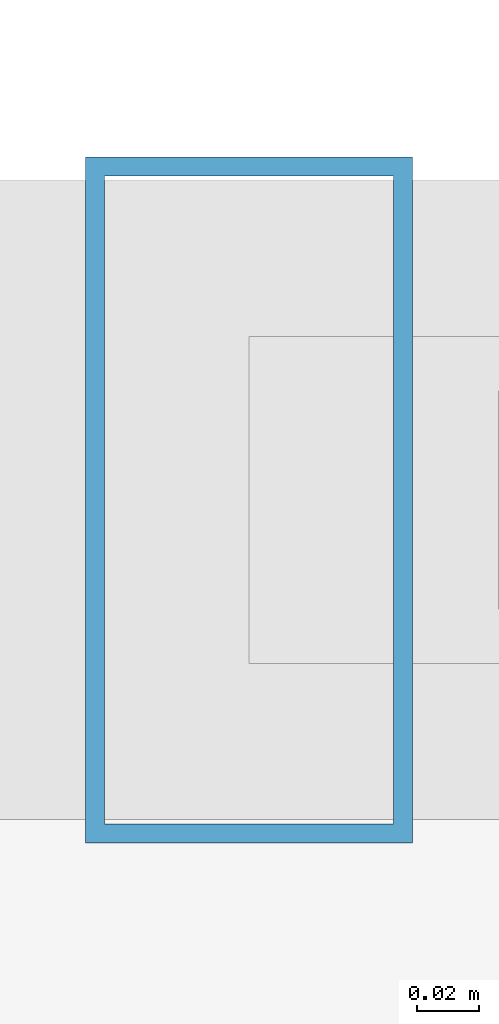
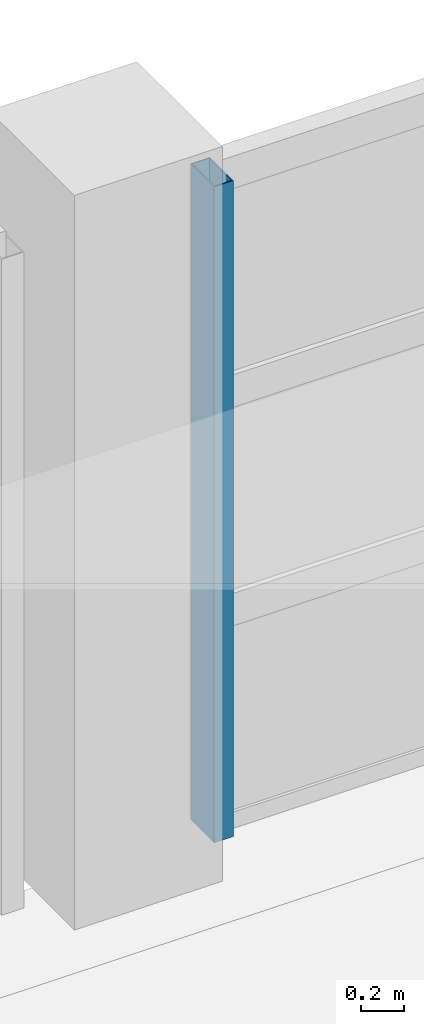
# One storey, part 56 of 136: 1 member, 1 element without a shape of its own.
"""IFC4 building model written with IfcOpenShell, lengths in metres."""

from ifc_helpers import new_model, si_unit, direction, frame, origin, origin_2d, place, context, subcontext, project, spatial, hollow_rectangle, extrude, material, material_profile, profile_set, type_object, element, aggregate, save


model = new_model("IFC4")

# Units and contexts
model_context = context("Model", 3, precision=1e-05, world=origin(), true_north=direction((0.0, 1.0)))
body_context = subcontext(model_context, "Body", "Model", "MODEL_VIEW")
ifc_project = project(units=[si_unit("LENGTHUNIT", "METRE"), si_unit("AREAUNIT", "SQUARE_METRE"), si_unit("VOLUMEUNIT", "CUBIC_METRE"), si_unit("PLANEANGLEUNIT", "RADIAN"), si_unit("MASSUNIT", "GRAM", prefix="KILO")], contexts=[model_context])

# Site, building, storey
site_placement = place(None, origin())
site = spatial("IfcSite", under=ifc_project, at=site_placement, CompositionType="ELEMENT")
building_placement = place(site_placement, origin())
building = spatial("IfcBuilding", under=site, at=building_placement, Name="Chuanluo Vaults Station", CompositionType="ELEMENT")
storey_placement = place(building_placement, frame((0.0, 0.0, 6.60009765625)))
storey = spatial("IfcBuildingStorey", under=building, at=storey_placement, Name="L01", CompositionType="ELEMENT", Elevation=6.60009765625)

# Curtain wall, member
ifc_material_1 = material(Name="Anodised aluminium 6063-T6", Category="aluminium")
curtain_wall_type = type_object("IfcCurtainWallType", Name="CW-SYS-20", PredefinedType="NOTDEFINED", material=ifc_material_1)
curtain_wall_placement = place(storey_placement, origin())
curtain_wall = element("IfcCurtainWall", 1, at=curtain_wall_placement, inside=storey, type_object=curtain_wall_type, Name="Operations L01 facade CW", PredefinedType="NOTDEFINED")
ifc_material_2 = material(Name="Anodised aluminium 6063-T6", Category="aluminium")
ifc_material_profile = material_profile(ifc_material_2, hollow_rectangle(XDim=0.10498046875, YDim=0.219970703125, WallThickness=0.006103515625, at=origin_2d()))
ifc_profile_set = profile_set([ifc_material_profile], Name="Anodised aluminium 6063-T6")
member_type = type_object("IfcMemberType", Name="CWM-140", PredefinedType="MULLION", material=ifc_profile_set)
member_placement = place(storey_placement, frame((126.574951171875, 126.0, 0.0), z_axis=(0.0, 0.0, 1.0), x_axis=(1.0, 0.0, 0.0)))
member = element("IfcMember", 2, at=member_placement, type_object=member_type, Name="Operations L01 facade CW mullion 1", PredefinedType="MULLION", context=body_context, shape_type="SweptSolid", body=[
    extrude(hollow_rectangle(XDim=0.10498046875, YDim=0.219970703125, WallThickness=0.006103515625, at=origin_2d()), origin(), (0.0, 0.0, 1.0), 3.75),
])
aggregate(curtain_wall, [member])

save(model, "model.ifc")
